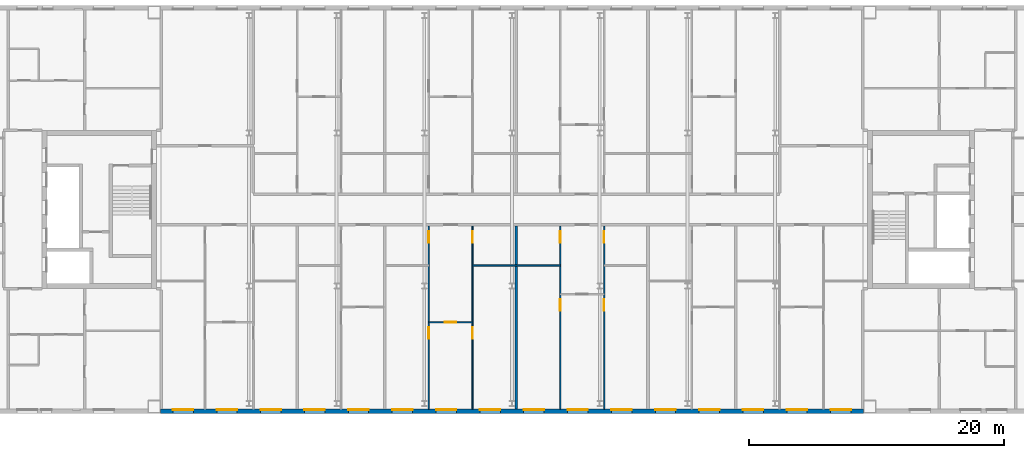
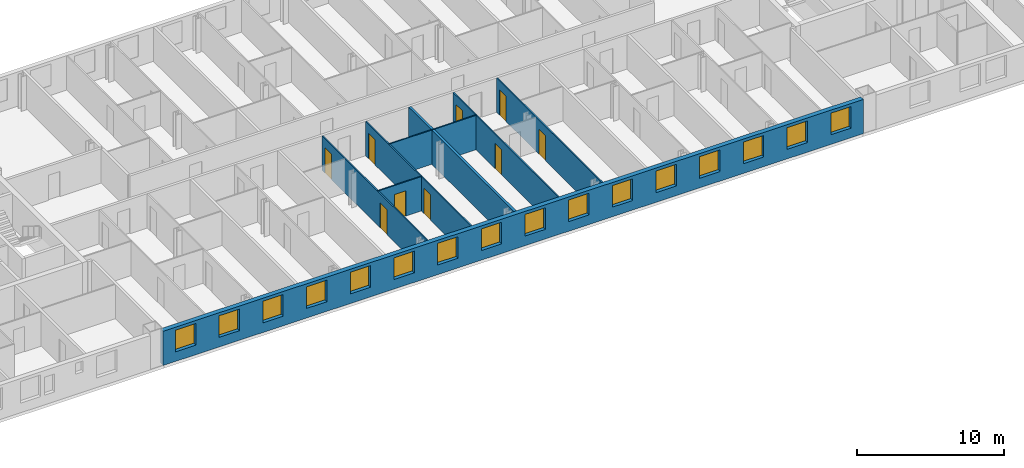
# One storey, part 10 of 19: 16 windows, 9 doors, 8 walls, 25 openings.
"""IFC4 building model written with IfcOpenShell, lengths in metres."""

from ifc_helpers import new_model, si_unit, direction, frame, frame_2d, origin, place, context, subcontext, project, spatial, rectangle, extrude, material, layer, layer_set, type_object, element, fill, save


model = new_model("IFC4")

# Units and contexts
model_context = context("Model", 3, precision=1e-05, world=origin(), true_north=direction((0.0, 1.0)))
body_context = subcontext(model_context, "Body", "Model", "MODEL_VIEW")
ifc_project = project(units=[si_unit("LENGTHUNIT", "METRE"), si_unit("AREAUNIT", "SQUARE_METRE"), si_unit("VOLUMEUNIT", "CUBIC_METRE"), si_unit("PLANEANGLEUNIT", "RADIAN"), si_unit("MASSUNIT", "GRAM", prefix="KILO")], contexts=[model_context])

# Site, building, storey
site_placement = place(None, origin())
site = spatial("IfcSite", under=ifc_project, at=site_placement, CompositionType="ELEMENT")
building_placement = place(site_placement, origin())
building = spatial("IfcBuilding", under=site, at=building_placement, Name="Tuart Gate Housing", CompositionType="ELEMENT")
storey_placement = place(building_placement, frame((0.0, 0.0, 212.10009765625)))
storey = spatial("IfcBuildingStorey", under=building, at=storey_placement, Name="L60", CompositionType="ELEMENT", Elevation=212.10009765625)

# Wall, openings, windows
ifc_material_1 = material(Name="Brick", Category="masonry")
ifc_layer_1 = layer(ifc_material_1, 0.360107421875)
ifc_layer_set_1 = layer_set([ifc_layer_1], Name="Brick pier and spandrel wall 360")
wall_type_1 = type_object("IfcWallType", Name="Brick pier and spandrel wall 360", PredefinedType="STANDARD", material=ifc_layer_set_1)
wall_1_placement = place(storey_placement, frame((75.949951171875, 54.179931640625, 0.0), z_axis=(0.0, 0.0, 1.0), x_axis=(1.0, 0.0, 0.0)))
wall_1 = element("IfcWall", 1, at=wall_1_placement, inside=storey, type_object=wall_type_1, Name="External wall BLK-S L60", PredefinedType="STANDARD", context=body_context, shape_type="SweptSolid", body=[
    extrude(rectangle(XDim=55.10009765625, YDim=0.360107421875, at=frame_2d((27.550048828125, 0.0))), origin(), (0.0, 0.0, 1.0), 2.849853515625),
])
opening_1_placement = place(wall_1_placement, frame((0.96875, 0.0, 0.800048828125)))
opening_1 = element("IfcOpeningElement", 2, at=opening_1_placement, cuts=wall_1, Name="Opening W1", PredefinedType="OPENING", context=body_context, shape_type="SweptSolid", body=[
    extrude(rectangle(XDim=1.60009765625, YDim=1.800048828125, at=frame_2d((0.800048828125, 0.89990234375))), frame((0.0, 0.18994140625, 0.0), z_axis=(0.0, -1.0, 0.0), x_axis=(1.0, 0.0, 0.0)), (0.0, 0.0, 1.0), 0.380126953125),
])
opening_2_placement = place(wall_1_placement, frame((4.40625, 0.0, 0.800048828125)))
opening_2 = element("IfcOpeningElement", 3, at=opening_2_placement, cuts=wall_1, Name="Opening W1", PredefinedType="OPENING", context=body_context, shape_type="SweptSolid", body=[
    extrude(rectangle(XDim=1.60009765625, YDim=1.800048828125, at=frame_2d((0.800048828125, 0.89990234375))), frame((0.0, 0.18994140625, 0.0), z_axis=(0.0, -1.0, 0.0), x_axis=(1.0, 0.0, 0.0)), (0.0, 0.0, 1.0), 0.380126953125),
])
opening_3_placement = place(wall_1_placement, frame((7.84375, 0.0, 0.800048828125)))
opening_3 = element("IfcOpeningElement", 4, at=opening_3_placement, cuts=wall_1, Name="Opening W1", PredefinedType="OPENING", context=body_context, shape_type="SweptSolid", body=[
    extrude(rectangle(XDim=1.60009765625, YDim=1.800048828125, at=frame_2d((0.800048828125, 0.89990234375))), frame((0.0, 0.18994140625, 0.0), z_axis=(0.0, -1.0, 0.0), x_axis=(1.0, 0.0, 0.0)), (0.0, 0.0, 1.0), 0.380126953125),
])
opening_4_placement = place(wall_1_placement, frame((11.28125, 0.0, 0.800048828125)))
opening_4 = element("IfcOpeningElement", 5, at=opening_4_placement, cuts=wall_1, Name="Opening W1", PredefinedType="OPENING", context=body_context, shape_type="SweptSolid", body=[
    extrude(rectangle(XDim=1.60009765625, YDim=1.800048828125, at=frame_2d((0.800048828125, 0.89990234375))), frame((0.0, 0.18994140625, 0.0), z_axis=(0.0, -1.0, 0.0), x_axis=(1.0, 0.0, 0.0)), (0.0, 0.0, 1.0), 0.380126953125),
])
opening_5_placement = place(wall_1_placement, frame((14.71875, 0.0, 0.800048828125)))
opening_5 = element("IfcOpeningElement", 6, at=opening_5_placement, cuts=wall_1, Name="Opening W1", PredefinedType="OPENING", context=body_context, shape_type="SweptSolid", body=[
    extrude(rectangle(XDim=1.60009765625, YDim=1.800048828125, at=frame_2d((0.800048828125, 0.89990234375))), frame((0.0, 0.18994140625, 0.0), z_axis=(0.0, -1.0, 0.0), x_axis=(1.0, 0.0, 0.0)), (0.0, 0.0, 1.0), 0.380126953125),
])
opening_6_placement = place(wall_1_placement, frame((18.15625, 0.0, 0.800048828125)))
opening_6 = element("IfcOpeningElement", 7, at=opening_6_placement, cuts=wall_1, Name="Opening W1", PredefinedType="OPENING", context=body_context, shape_type="SweptSolid", body=[
    extrude(rectangle(XDim=1.60009765625, YDim=1.800048828125, at=frame_2d((0.800048828125, 0.89990234375))), frame((0.0, 0.18994140625, 0.0), z_axis=(0.0, -1.0, 0.0), x_axis=(1.0, 0.0, 0.0)), (0.0, 0.0, 1.0), 0.380126953125),
])
opening_7_placement = place(wall_1_placement, frame((21.59375, 0.0, 0.800048828125)))
opening_7 = element("IfcOpeningElement", 8, at=opening_7_placement, cuts=wall_1, Name="Opening W1", PredefinedType="OPENING", context=body_context, shape_type="SweptSolid", body=[
    extrude(rectangle(XDim=1.60009765625, YDim=1.800048828125, at=frame_2d((0.800048828125, 0.89990234375))), frame((0.0, 0.18994140625, 0.0), z_axis=(0.0, -1.0, 0.0), x_axis=(1.0, 0.0, 0.0)), (0.0, 0.0, 1.0), 0.380126953125),
])
opening_8_placement = place(wall_1_placement, frame((25.03125, 0.0, 0.800048828125)))
opening_8 = element("IfcOpeningElement", 9, at=opening_8_placement, cuts=wall_1, Name="Opening W1", PredefinedType="OPENING", context=body_context, shape_type="SweptSolid", body=[
    extrude(rectangle(XDim=1.60009765625, YDim=1.800048828125, at=frame_2d((0.800048828125, 0.89990234375))), frame((0.0, 0.18994140625, 0.0), z_axis=(0.0, -1.0, 0.0), x_axis=(1.0, 0.0, 0.0)), (0.0, 0.0, 1.0), 0.380126953125),
])
opening_9_placement = place(wall_1_placement, frame((28.46875, 0.0, 0.800048828125)))
opening_9 = element("IfcOpeningElement", 10, at=opening_9_placement, cuts=wall_1, Name="Opening W1", PredefinedType="OPENING", context=body_context, shape_type="SweptSolid", body=[
    extrude(rectangle(XDim=1.60009765625, YDim=1.800048828125, at=frame_2d((0.800048828125, 0.89990234375))), frame((0.0, 0.18994140625, 0.0), z_axis=(0.0, -1.0, 0.0), x_axis=(1.0, 0.0, 0.0)), (0.0, 0.0, 1.0), 0.380126953125),
])
opening_10_placement = place(wall_1_placement, frame((31.90625, 0.0, 0.800048828125)))
opening_10 = element("IfcOpeningElement", 11, at=opening_10_placement, cuts=wall_1, Name="Opening W1", PredefinedType="OPENING", context=body_context, shape_type="SweptSolid", body=[
    extrude(rectangle(XDim=1.60009765625, YDim=1.800048828125, at=frame_2d((0.800048828125, 0.89990234375))), frame((0.0, 0.18994140625, 0.0), z_axis=(0.0, -1.0, 0.0), x_axis=(1.0, 0.0, 0.0)), (0.0, 0.0, 1.0), 0.380126953125),
])
opening_11_placement = place(wall_1_placement, frame((35.34375, 0.0, 0.800048828125)))
opening_11 = element("IfcOpeningElement", 12, at=opening_11_placement, cuts=wall_1, Name="Opening W1", PredefinedType="OPENING", context=body_context, shape_type="SweptSolid", body=[
    extrude(rectangle(XDim=1.60009765625, YDim=1.800048828125, at=frame_2d((0.800048828125, 0.89990234375))), frame((0.0, 0.18994140625, 0.0), z_axis=(0.0, -1.0, 0.0), x_axis=(1.0, 0.0, 0.0)), (0.0, 0.0, 1.0), 0.380126953125),
])
opening_12_placement = place(wall_1_placement, frame((38.78125, 0.0, 0.800048828125)))
opening_12 = element("IfcOpeningElement", 13, at=opening_12_placement, cuts=wall_1, Name="Opening W1", PredefinedType="OPENING", context=body_context, shape_type="SweptSolid", body=[
    extrude(rectangle(XDim=1.60009765625, YDim=1.800048828125, at=frame_2d((0.800048828125, 0.89990234375))), frame((0.0, 0.18994140625, 0.0), z_axis=(0.0, -1.0, 0.0), x_axis=(1.0, 0.0, 0.0)), (0.0, 0.0, 1.0), 0.380126953125),
])
opening_13_placement = place(wall_1_placement, frame((42.21875, 0.0, 0.800048828125)))
opening_13 = element("IfcOpeningElement", 14, at=opening_13_placement, cuts=wall_1, Name="Opening W1", PredefinedType="OPENING", context=body_context, shape_type="SweptSolid", body=[
    extrude(rectangle(XDim=1.60009765625, YDim=1.800048828125, at=frame_2d((0.800048828125, 0.89990234375))), frame((0.0, 0.18994140625, 0.0), z_axis=(0.0, -1.0, 0.0), x_axis=(1.0, 0.0, 0.0)), (0.0, 0.0, 1.0), 0.380126953125),
])
opening_14_placement = place(wall_1_placement, frame((45.65625, 0.0, 0.800048828125)))
opening_14 = element("IfcOpeningElement", 15, at=opening_14_placement, cuts=wall_1, Name="Opening W1", PredefinedType="OPENING", context=body_context, shape_type="SweptSolid", body=[
    extrude(rectangle(XDim=1.60009765625, YDim=1.800048828125, at=frame_2d((0.800048828125, 0.89990234375))), frame((0.0, 0.18994140625, 0.0), z_axis=(0.0, -1.0, 0.0), x_axis=(1.0, 0.0, 0.0)), (0.0, 0.0, 1.0), 0.380126953125),
])
opening_15_placement = place(wall_1_placement, frame((49.09375, 0.0, 0.800048828125)))
opening_15 = element("IfcOpeningElement", 16, at=opening_15_placement, cuts=wall_1, Name="Opening W1", PredefinedType="OPENING", context=body_context, shape_type="SweptSolid", body=[
    extrude(rectangle(XDim=1.60009765625, YDim=1.800048828125, at=frame_2d((0.800048828125, 0.89990234375))), frame((0.0, 0.18994140625, 0.0), z_axis=(0.0, -1.0, 0.0), x_axis=(1.0, 0.0, 0.0)), (0.0, 0.0, 1.0), 0.380126953125),
])
opening_16_placement = place(wall_1_placement, frame((52.53125, 0.0, 0.800048828125)))
opening_16 = element("IfcOpeningElement", 17, at=opening_16_placement, cuts=wall_1, Name="Opening W1", PredefinedType="OPENING", context=body_context, shape_type="SweptSolid", body=[
    extrude(rectangle(XDim=1.60009765625, YDim=1.800048828125, at=frame_2d((0.800048828125, 0.89990234375))), frame((0.0, 0.18994140625, 0.0), z_axis=(0.0, -1.0, 0.0), x_axis=(1.0, 0.0, 0.0)), (0.0, 0.0, 1.0), 0.380126953125),
])
ifc_material_2 = material(Name="Aluminium frame with clear glass", Category="aluminium")
window_type = type_object("IfcWindowType", Name="Punched window 1600 x 1800", PartitioningType="SINGLE_PANEL", PredefinedType="WINDOW", material=ifc_material_2)
window_1_placement = place(opening_1_placement, origin())
window_1 = element("IfcWindow", 18, at=window_1_placement, inside=storey, type_object=window_type, Name="Window W1", OverallHeight=1.800048828125, OverallWidth=1.60009765625, PartitioningType="SINGLE_PANEL", PredefinedType="WINDOW", context=body_context, shape_type="SweptSolid", body=[
    extrude(rectangle(XDim=1.60009765625, YDim=1.800048828125, at=frame_2d((0.800048828125, 0.89990234375))), frame((0.0, 0.150146484375, 0.0), z_axis=(0.0, -1.0, 0.0), x_axis=(1.0, 0.0, 0.0)), (0.0, 0.0, 1.0), 0.06005859375),
])
fill(opening_1, window_1)
window_2_placement = place(opening_2_placement, origin())
window_2 = element("IfcWindow", 19, at=window_2_placement, inside=storey, type_object=window_type, Name="Window W1", OverallHeight=1.800048828125, OverallWidth=1.60009765625, PartitioningType="SINGLE_PANEL", PredefinedType="WINDOW", context=body_context, shape_type="SweptSolid", body=[
    extrude(rectangle(XDim=1.60009765625, YDim=1.800048828125, at=frame_2d((0.800048828125, 0.89990234375))), frame((0.0, 0.150146484375, 0.0), z_axis=(0.0, -1.0, 0.0), x_axis=(1.0, 0.0, 0.0)), (0.0, 0.0, 1.0), 0.06005859375),
])
fill(opening_2, window_2)
window_3_placement = place(opening_3_placement, origin())
window_3 = element("IfcWindow", 20, at=window_3_placement, inside=storey, type_object=window_type, Name="Window W1", OverallHeight=1.800048828125, OverallWidth=1.60009765625, PartitioningType="SINGLE_PANEL", PredefinedType="WINDOW", context=body_context, shape_type="SweptSolid", body=[
    extrude(rectangle(XDim=1.60009765625, YDim=1.800048828125, at=frame_2d((0.800048828125, 0.89990234375))), frame((0.0, 0.150146484375, 0.0), z_axis=(0.0, -1.0, 0.0), x_axis=(1.0, 0.0, 0.0)), (0.0, 0.0, 1.0), 0.06005859375),
])
fill(opening_3, window_3)
window_4_placement = place(opening_4_placement, origin())
window_4 = element("IfcWindow", 21, at=window_4_placement, inside=storey, type_object=window_type, Name="Window W1", OverallHeight=1.800048828125, OverallWidth=1.60009765625, PartitioningType="SINGLE_PANEL", PredefinedType="WINDOW", context=body_context, shape_type="SweptSolid", body=[
    extrude(rectangle(XDim=1.60009765625, YDim=1.800048828125, at=frame_2d((0.800048828125, 0.89990234375))), frame((0.0, 0.150146484375, 0.0), z_axis=(0.0, -1.0, 0.0), x_axis=(1.0, 0.0, 0.0)), (0.0, 0.0, 1.0), 0.06005859375),
])
fill(opening_4, window_4)
window_5_placement = place(opening_5_placement, origin())
window_5 = element("IfcWindow", 22, at=window_5_placement, inside=storey, type_object=window_type, Name="Window W1", OverallHeight=1.800048828125, OverallWidth=1.60009765625, PartitioningType="SINGLE_PANEL", PredefinedType="WINDOW", context=body_context, shape_type="SweptSolid", body=[
    extrude(rectangle(XDim=1.60009765625, YDim=1.800048828125, at=frame_2d((0.800048828125, 0.89990234375))), frame((0.0, 0.150146484375, 0.0), z_axis=(0.0, -1.0, 0.0), x_axis=(1.0, 0.0, 0.0)), (0.0, 0.0, 1.0), 0.06005859375),
])
fill(opening_5, window_5)
window_6_placement = place(opening_6_placement, origin())
window_6 = element("IfcWindow", 23, at=window_6_placement, inside=storey, type_object=window_type, Name="Window W1", OverallHeight=1.800048828125, OverallWidth=1.60009765625, PartitioningType="SINGLE_PANEL", PredefinedType="WINDOW", context=body_context, shape_type="SweptSolid", body=[
    extrude(rectangle(XDim=1.60009765625, YDim=1.800048828125, at=frame_2d((0.800048828125, 0.89990234375))), frame((0.0, 0.150146484375, 0.0), z_axis=(0.0, -1.0, 0.0), x_axis=(1.0, 0.0, 0.0)), (0.0, 0.0, 1.0), 0.06005859375),
])
fill(opening_6, window_6)
window_7_placement = place(opening_7_placement, origin())
window_7 = element("IfcWindow", 24, at=window_7_placement, inside=storey, type_object=window_type, Name="Window W1", OverallHeight=1.800048828125, OverallWidth=1.60009765625, PartitioningType="SINGLE_PANEL", PredefinedType="WINDOW", context=body_context, shape_type="SweptSolid", body=[
    extrude(rectangle(XDim=1.60009765625, YDim=1.800048828125, at=frame_2d((0.800048828125, 0.89990234375))), frame((0.0, 0.150146484375, 0.0), z_axis=(0.0, -1.0, 0.0), x_axis=(1.0, 0.0, 0.0)), (0.0, 0.0, 1.0), 0.06005859375),
])
fill(opening_7, window_7)
window_8_placement = place(opening_8_placement, origin())
window_8 = element("IfcWindow", 25, at=window_8_placement, inside=storey, type_object=window_type, Name="Window W1", OverallHeight=1.800048828125, OverallWidth=1.60009765625, PartitioningType="SINGLE_PANEL", PredefinedType="WINDOW", context=body_context, shape_type="SweptSolid", body=[
    extrude(rectangle(XDim=1.60009765625, YDim=1.800048828125, at=frame_2d((0.800048828125, 0.89990234375))), frame((0.0, 0.150146484375, 0.0), z_axis=(0.0, -1.0, 0.0), x_axis=(1.0, 0.0, 0.0)), (0.0, 0.0, 1.0), 0.06005859375),
])
fill(opening_8, window_8)
window_9_placement = place(opening_9_placement, origin())
window_9 = element("IfcWindow", 26, at=window_9_placement, inside=storey, type_object=window_type, Name="Window W1", OverallHeight=1.800048828125, OverallWidth=1.60009765625, PartitioningType="SINGLE_PANEL", PredefinedType="WINDOW", context=body_context, shape_type="SweptSolid", body=[
    extrude(rectangle(XDim=1.60009765625, YDim=1.800048828125, at=frame_2d((0.800048828125, 0.89990234375))), frame((0.0, 0.150146484375, 0.0), z_axis=(0.0, -1.0, 0.0), x_axis=(1.0, 0.0, 0.0)), (0.0, 0.0, 1.0), 0.06005859375),
])
fill(opening_9, window_9)
window_10_placement = place(opening_10_placement, origin())
window_10 = element("IfcWindow", 27, at=window_10_placement, inside=storey, type_object=window_type, Name="Window W1", OverallHeight=1.800048828125, OverallWidth=1.60009765625, PartitioningType="SINGLE_PANEL", PredefinedType="WINDOW", context=body_context, shape_type="SweptSolid", body=[
    extrude(rectangle(XDim=1.60009765625, YDim=1.800048828125, at=frame_2d((0.800048828125, 0.89990234375))), frame((0.0, 0.150146484375, 0.0), z_axis=(0.0, -1.0, 0.0), x_axis=(1.0, 0.0, 0.0)), (0.0, 0.0, 1.0), 0.06005859375),
])
fill(opening_10, window_10)
window_11_placement = place(opening_11_placement, origin())
window_11 = element("IfcWindow", 28, at=window_11_placement, inside=storey, type_object=window_type, Name="Window W1", OverallHeight=1.800048828125, OverallWidth=1.60009765625, PartitioningType="SINGLE_PANEL", PredefinedType="WINDOW", context=body_context, shape_type="SweptSolid", body=[
    extrude(rectangle(XDim=1.60009765625, YDim=1.800048828125, at=frame_2d((0.800048828125, 0.89990234375))), frame((0.0, 0.150146484375, 0.0), z_axis=(0.0, -1.0, 0.0), x_axis=(1.0, 0.0, 0.0)), (0.0, 0.0, 1.0), 0.06005859375),
])
fill(opening_11, window_11)
window_12_placement = place(opening_12_placement, origin())
window_12 = element("IfcWindow", 29, at=window_12_placement, inside=storey, type_object=window_type, Name="Window W1", OverallHeight=1.800048828125, OverallWidth=1.60009765625, PartitioningType="SINGLE_PANEL", PredefinedType="WINDOW", context=body_context, shape_type="SweptSolid", body=[
    extrude(rectangle(XDim=1.60009765625, YDim=1.800048828125, at=frame_2d((0.800048828125, 0.89990234375))), frame((0.0, 0.150146484375, 0.0), z_axis=(0.0, -1.0, 0.0), x_axis=(1.0, 0.0, 0.0)), (0.0, 0.0, 1.0), 0.06005859375),
])
fill(opening_12, window_12)
window_13_placement = place(opening_13_placement, origin())
window_13 = element("IfcWindow", 30, at=window_13_placement, inside=storey, type_object=window_type, Name="Window W1", OverallHeight=1.800048828125, OverallWidth=1.60009765625, PartitioningType="SINGLE_PANEL", PredefinedType="WINDOW", context=body_context, shape_type="SweptSolid", body=[
    extrude(rectangle(XDim=1.60009765625, YDim=1.800048828125, at=frame_2d((0.800048828125, 0.89990234375))), frame((0.0, 0.150146484375, 0.0), z_axis=(0.0, -1.0, 0.0), x_axis=(1.0, 0.0, 0.0)), (0.0, 0.0, 1.0), 0.06005859375),
])
fill(opening_13, window_13)
window_14_placement = place(opening_14_placement, origin())
window_14 = element("IfcWindow", 31, at=window_14_placement, inside=storey, type_object=window_type, Name="Window W1", OverallHeight=1.800048828125, OverallWidth=1.60009765625, PartitioningType="SINGLE_PANEL", PredefinedType="WINDOW", context=body_context, shape_type="SweptSolid", body=[
    extrude(rectangle(XDim=1.60009765625, YDim=1.800048828125, at=frame_2d((0.800048828125, 0.89990234375))), frame((0.0, 0.150146484375, 0.0), z_axis=(0.0, -1.0, 0.0), x_axis=(1.0, 0.0, 0.0)), (0.0, 0.0, 1.0), 0.06005859375),
])
fill(opening_14, window_14)
window_15_placement = place(opening_15_placement, origin())
window_15 = element("IfcWindow", 32, at=window_15_placement, inside=storey, type_object=window_type, Name="Window W1", OverallHeight=1.800048828125, OverallWidth=1.60009765625, PartitioningType="SINGLE_PANEL", PredefinedType="WINDOW", context=body_context, shape_type="SweptSolid", body=[
    extrude(rectangle(XDim=1.60009765625, YDim=1.800048828125, at=frame_2d((0.800048828125, 0.89990234375))), frame((0.0, 0.150146484375, 0.0), z_axis=(0.0, -1.0, 0.0), x_axis=(1.0, 0.0, 0.0)), (0.0, 0.0, 1.0), 0.06005859375),
])
fill(opening_15, window_15)
window_16_placement = place(opening_16_placement, origin())
window_16 = element("IfcWindow", 33, at=window_16_placement, inside=storey, type_object=window_type, Name="Window W1", OverallHeight=1.800048828125, OverallWidth=1.60009765625, PartitioningType="SINGLE_PANEL", PredefinedType="WINDOW", context=body_context, shape_type="SweptSolid", body=[
    extrude(rectangle(XDim=1.60009765625, YDim=1.800048828125, at=frame_2d((0.800048828125, 0.89990234375))), frame((0.0, 0.150146484375, 0.0), z_axis=(0.0, -1.0, 0.0), x_axis=(1.0, 0.0, 0.0)), (0.0, 0.0, 1.0), 0.06005859375),
])
fill(opening_16, window_16)

# Wall, opening, door
ifc_material_3 = material(Name="Gypsum board on steel studs", Category="steel")
ifc_layer_2 = layer(ifc_material_3, 0.10009765625)
ifc_layer_set_2 = layer_set([ifc_layer_2], Name="Partition 100")
wall_type_2 = type_object("IfcWallType", Name="Partition 100", PredefinedType="PARTITIONING", material=ifc_layer_set_2)
wall_2_placement = place(storey_placement, frame((96.97509765625, 61.159912109375, 0.0), z_axis=(0.0, 0.0, 1.0), x_axis=(1.0, 0.0, 0.0)))
wall_2 = element("IfcWall", 34, at=wall_2_placement, inside=storey, type_object=wall_type_2, Name="Partition 100", PredefinedType="PARTITIONING", context=body_context, shape_type="SweptSolid", body=[
    extrude(rectangle(XDim=3.43701171875, YDim=0.10009765625, at=frame_2d((1.718505859375, 0.0))), origin(), (0.0, 0.0, 1.0), 2.849853515625),
])
opening_17_placement = place(wall_2_placement, frame((1.2685546875, 0.0, 0.0)))
opening_17 = element("IfcOpeningElement", 35, at=opening_17_placement, cuts=wall_2, Name="Opening D2223", PredefinedType="OPENING", context=body_context, shape_type="SweptSolid", body=[
    extrude(rectangle(XDim=0.89990234375, YDim=2.10009765625, at=frame_2d((0.449951171875, 1.050048828125))), frame((0.0, 0.06005859375, 0.0), z_axis=(0.0, -1.0, 0.0), x_axis=(1.0, 0.0, 0.0)), (0.0, 0.0, 1.0), 0.1201171875),
])
ifc_material_4 = material(Name="Timber door leaf in steel frame", Category="steel")
door_type_1 = type_object("IfcDoorType", Name="Internal door 900", OperationType="SINGLE_SWING_LEFT", PredefinedType="DOOR", material=ifc_material_4)
door_1_placement = place(opening_17_placement, origin())
door_1 = element("IfcDoor", 36, at=door_1_placement, inside=storey, type_object=door_type_1, Name="Internal door", OperationType="SINGLE_SWING_LEFT", OverallHeight=2.10009765625, OverallWidth=0.89990234375, PredefinedType="DOOR", context=body_context, shape_type="SweptSolid", body=[
    extrude(rectangle(XDim=0.89990234375, YDim=2.10009765625, at=frame_2d((0.449951171875, 1.050048828125))), frame((0.0, 0.02490234375, 0.0), z_axis=(0.0, -1.0, 0.0), x_axis=(1.0, 0.0, 0.0)), (0.0, 0.0, 1.0), 0.050048828125),
])
fill(opening_17, door_1)

# Wall
wall_3_placement = place(storey_placement, frame((100.412109375, 65.60009765625, 0.0), z_axis=(0.0, 0.0, 1.0), x_axis=(1.0, 0.0, 0.0)))
element("IfcWall", 37, at=wall_3_placement, inside=storey, type_object=wall_type_2, Name="Partition 100", PredefinedType="PARTITIONING", context=body_context, shape_type="SweptSolid", body=[
    extrude(rectangle(XDim=6.875, YDim=0.10009765625, at=frame_2d((3.4375, 0.0))), origin(), (0.0, 0.0, 1.0), 2.849853515625),
])

# Wall, openings, doors
wall_4_placement = place(storey_placement, frame((96.97509765625, 54.360107421875, 0.0), z_axis=(0.0, 0.0, 1.0), x_axis=(0.0, 1.0, 0.0)))
wall_4 = element("IfcWall", 38, at=wall_4_placement, inside=storey, type_object=wall_type_2, Name="Partition 100", PredefinedType="PARTITIONING", context=body_context, shape_type="SweptSolid", body=[
    extrude(rectangle(XDim=14.33984375, YDim=0.10009765625, at=frame_2d((7.169921875, 0.0))), origin(), (0.0, 0.0, 1.0), 2.849853515625),
])
opening_18_placement = place(wall_4_placement, frame((5.5, 0.0, 0.0)))
opening_18 = element("IfcOpeningElement", 39, at=opening_18_placement, cuts=wall_4, Name="Opening D2209", PredefinedType="OPENING", context=body_context, shape_type="SweptSolid", body=[
    extrude(rectangle(XDim=0.89990234375, YDim=2.10009765625, at=frame_2d((0.449951171875, 1.050048828125))), frame((0.0, 0.06005859375, 0.0), z_axis=(0.0, -1.0, 0.0), x_axis=(1.0, 0.0, 0.0)), (0.0, 0.0, 1.0), 0.1201171875),
])
opening_19_placement = place(wall_4_placement, frame((13.0400390625, 0.0, 0.0)))
opening_19 = element("IfcOpeningElement", 40, at=opening_19_placement, cuts=wall_4, Name="Opening D2208", PredefinedType="OPENING", context=body_context, shape_type="SweptSolid", body=[
    extrude(rectangle(XDim=0.89990234375, YDim=2.10009765625, at=frame_2d((0.449951171875, 1.050048828125))), frame((0.0, 0.06005859375, 0.0), z_axis=(0.0, -1.0, 0.0), x_axis=(1.0, 0.0, 0.0)), (0.0, 0.0, 1.0), 0.1201171875),
])
ifc_material_5 = material(Name="Timber door leaf in steel frame", Category="steel")
door_type_2 = type_object("IfcDoorType", Name="Bathroom door 900 RH", OperationType="SINGLE_SWING_RIGHT", PredefinedType="DOOR", material=ifc_material_5)
door_2_placement = place(opening_19_placement, origin())
door_2 = element("IfcDoor", 41, at=door_2_placement, inside=storey, type_object=door_type_2, Name="Bathroom door", OperationType="SINGLE_SWING_RIGHT", OverallHeight=2.10009765625, OverallWidth=0.89990234375, PredefinedType="DOOR", context=body_context, shape_type="SweptSolid", body=[
    extrude(rectangle(XDim=0.89990234375, YDim=2.10009765625, at=frame_2d((0.449951171875, 1.050048828125))), frame((0.0, 0.02490234375, 0.0), z_axis=(0.0, -1.0, 0.0), x_axis=(1.0, 0.0, 0.0)), (0.0, 0.0, 1.0), 0.050048828125),
])
fill(opening_19, door_2)
ifc_material_6 = material(Name="Timber door leaf in steel frame", Category="steel")
door_type_3 = type_object("IfcDoorType", Name="Internal door 900 RH", OperationType="SINGLE_SWING_RIGHT", PredefinedType="DOOR", material=ifc_material_6)
door_3_placement = place(opening_18_placement, origin())
door_3 = element("IfcDoor", 42, at=door_3_placement, inside=storey, type_object=door_type_3, Name="Internal door", OperationType="SINGLE_SWING_RIGHT", OverallHeight=2.10009765625, OverallWidth=0.89990234375, PredefinedType="DOOR", context=body_context, shape_type="SweptSolid", body=[
    extrude(rectangle(XDim=0.89990234375, YDim=2.10009765625, at=frame_2d((0.449951171875, 1.050048828125))), frame((0.0, 0.02490234375, 0.0), z_axis=(0.0, -1.0, 0.0), x_axis=(1.0, 0.0, 0.0)), (0.0, 0.0, 1.0), 0.050048828125),
])
fill(opening_18, door_3)

wall_5_placement = place(storey_placement, frame((100.412109375, 54.360107421875, 0.0), z_axis=(0.0, 0.0, 1.0), x_axis=(0.0, 1.0, 0.0)))
wall_5 = element("IfcWall", 43, at=wall_5_placement, inside=storey, type_object=wall_type_2, Name="Partition 100", PredefinedType="PARTITIONING", context=body_context, shape_type="SweptSolid", body=[
    extrude(rectangle(XDim=14.33984375, YDim=0.10009765625, at=frame_2d((7.169921875, 0.0))), origin(), (0.0, 0.0, 1.0), 2.849853515625),
])
opening_20_placement = place(wall_5_placement, frame((5.5, 0.0, 0.0)))
opening_20 = element("IfcOpeningElement", 44, at=opening_20_placement, cuts=wall_5, Name="Opening D2211", PredefinedType="OPENING", context=body_context, shape_type="SweptSolid", body=[
    extrude(rectangle(XDim=0.89990234375, YDim=2.10009765625, at=frame_2d((0.449951171875, 1.050048828125))), frame((0.0, 0.06005859375, 0.0), z_axis=(0.0, -1.0, 0.0), x_axis=(1.0, 0.0, 0.0)), (0.0, 0.0, 1.0), 0.1201171875),
])
opening_21_placement = place(wall_5_placement, frame((13.0400390625, 0.0, 0.0)))
opening_21 = element("IfcOpeningElement", 45, at=opening_21_placement, cuts=wall_5, Name="Opening D2210", PredefinedType="OPENING", context=body_context, shape_type="SweptSolid", body=[
    extrude(rectangle(XDim=0.89990234375, YDim=2.10009765625, at=frame_2d((0.449951171875, 1.050048828125))), frame((0.0, 0.06005859375, 0.0), z_axis=(0.0, -1.0, 0.0), x_axis=(1.0, 0.0, 0.0)), (0.0, 0.0, 1.0), 0.1201171875),
])
ifc_material_7 = material(Name="Timber door leaf in steel frame", Category="steel")
door_type_4 = type_object("IfcDoorType", Name="Bathroom door 900", OperationType="SINGLE_SWING_LEFT", PredefinedType="DOOR", material=ifc_material_7)
door_4_placement = place(opening_21_placement, frame((0.89990234375, 0.0, 0.0), z_axis=(0.0, 0.0, 1.0), x_axis=(-1.0, 0.0, 0.0)))
door_4 = element("IfcDoor", 46, at=door_4_placement, inside=storey, type_object=door_type_4, Name="Bathroom door", OperationType="SINGLE_SWING_LEFT", OverallHeight=2.10009765625, OverallWidth=0.89990234375, PredefinedType="DOOR", context=body_context, shape_type="SweptSolid", body=[
    extrude(rectangle(XDim=0.89990234375, YDim=2.10009765625, at=frame_2d((0.449951171875, 1.050048828125))), frame((0.0, 0.025146484375, 0.0), z_axis=(0.0, -1.0, 0.0), x_axis=(1.0, 0.0, 0.0)), (0.0, 0.0, 1.0), 0.050048828125),
])
fill(opening_21, door_4)
door_5_placement = place(opening_20_placement, frame((0.89990234375, 0.0, 0.0), z_axis=(0.0, 0.0, 1.0), x_axis=(-1.0, 0.0, 0.0)))
door_5 = element("IfcDoor", 47, at=door_5_placement, inside=storey, type_object=door_type_1, Name="Internal door", OperationType="SINGLE_SWING_LEFT", OverallHeight=2.10009765625, OverallWidth=0.89990234375, PredefinedType="DOOR", context=body_context, shape_type="SweptSolid", body=[
    extrude(rectangle(XDim=0.89990234375, YDim=2.10009765625, at=frame_2d((0.449951171875, 1.050048828125))), frame((0.0, 0.025146484375, 0.0), z_axis=(0.0, -1.0, 0.0), x_axis=(1.0, 0.0, 0.0)), (0.0, 0.0, 1.0), 0.050048828125),
])
fill(opening_20, door_5)

wall_6_placement = place(storey_placement, frame((107.287109375, 54.360107421875, 0.0), z_axis=(0.0, 0.0, 1.0), x_axis=(0.0, 1.0, 0.0)))
wall_6 = element("IfcWall", 48, at=wall_6_placement, inside=storey, type_object=wall_type_2, Name="Partition 100", PredefinedType="PARTITIONING", context=body_context, shape_type="SweptSolid", body=[
    extrude(rectangle(XDim=14.33984375, YDim=0.10009765625, at=frame_2d((7.169921875, 0.0))), origin(), (0.0, 0.0, 1.0), 2.849853515625),
])
opening_22_placement = place(wall_6_placement, frame((7.699951171875, 0.0, 0.0)))
opening_22 = element("IfcOpeningElement", 49, at=opening_22_placement, cuts=wall_6, Name="Opening D2213", PredefinedType="OPENING", context=body_context, shape_type="SweptSolid", body=[
    extrude(rectangle(XDim=0.89990234375, YDim=2.10009765625, at=frame_2d((0.449951171875, 1.050048828125))), frame((0.0, 0.06005859375, 0.0), z_axis=(0.0, -1.0, 0.0), x_axis=(1.0, 0.0, 0.0)), (0.0, 0.0, 1.0), 0.1201171875),
])
opening_23_placement = place(wall_6_placement, frame((13.0400390625, 0.0, 0.0)))
opening_23 = element("IfcOpeningElement", 50, at=opening_23_placement, cuts=wall_6, Name="Opening D2212", PredefinedType="OPENING", context=body_context, shape_type="SweptSolid", body=[
    extrude(rectangle(XDim=0.89990234375, YDim=2.10009765625, at=frame_2d((0.449951171875, 1.050048828125))), frame((0.0, 0.06005859375, 0.0), z_axis=(0.0, -1.0, 0.0), x_axis=(1.0, 0.0, 0.0)), (0.0, 0.0, 1.0), 0.1201171875),
])
door_6_placement = place(opening_23_placement, origin())
door_6 = element("IfcDoor", 51, at=door_6_placement, inside=storey, type_object=door_type_2, Name="Bathroom door", OperationType="SINGLE_SWING_RIGHT", OverallHeight=2.10009765625, OverallWidth=0.89990234375, PredefinedType="DOOR", context=body_context, shape_type="SweptSolid", body=[
    extrude(rectangle(XDim=0.89990234375, YDim=2.10009765625, at=frame_2d((0.449951171875, 1.050048828125))), frame((0.0, 0.02490234375, 0.0), z_axis=(0.0, -1.0, 0.0), x_axis=(1.0, 0.0, 0.0)), (0.0, 0.0, 1.0), 0.050048828125),
])
fill(opening_23, door_6)
door_7_placement = place(opening_22_placement, origin())
door_7 = element("IfcDoor", 52, at=door_7_placement, inside=storey, type_object=door_type_3, Name="Internal door", OperationType="SINGLE_SWING_RIGHT", OverallHeight=2.10009765625, OverallWidth=0.89990234375, PredefinedType="DOOR", context=body_context, shape_type="SweptSolid", body=[
    extrude(rectangle(XDim=0.89990234375, YDim=2.10009765625, at=frame_2d((0.449951171875, 1.050048828125))), frame((0.0, 0.02490234375, 0.0), z_axis=(0.0, -1.0, 0.0), x_axis=(1.0, 0.0, 0.0)), (0.0, 0.0, 1.0), 0.050048828125),
])
fill(opening_22, door_7)

wall_7_placement = place(storey_placement, frame((110.72509765625, 54.360107421875, 0.0), z_axis=(0.0, 0.0, 1.0), x_axis=(0.0, 1.0, 0.0)))
wall_7 = element("IfcWall", 53, at=wall_7_placement, inside=storey, type_object=wall_type_2, Name="Partition 100", PredefinedType="PARTITIONING", context=body_context, shape_type="SweptSolid", body=[
    extrude(rectangle(XDim=14.33984375, YDim=0.10009765625, at=frame_2d((7.169921875, 0.0))), origin(), (0.0, 0.0, 1.0), 2.849853515625),
])
opening_24_placement = place(wall_7_placement, frame((7.699951171875, 0.0, 0.0)))
opening_24 = element("IfcOpeningElement", 54, at=opening_24_placement, cuts=wall_7, Name="Opening D2215", PredefinedType="OPENING", context=body_context, shape_type="SweptSolid", body=[
    extrude(rectangle(XDim=0.89990234375, YDim=2.10009765625, at=frame_2d((0.449951171875, 1.050048828125))), frame((0.0, 0.06005859375, 0.0), z_axis=(0.0, -1.0, 0.0), x_axis=(1.0, 0.0, 0.0)), (0.0, 0.0, 1.0), 0.1201171875),
])
opening_25_placement = place(wall_7_placement, frame((13.0400390625, 0.0, 0.0)))
opening_25 = element("IfcOpeningElement", 55, at=opening_25_placement, cuts=wall_7, Name="Opening D2214", PredefinedType="OPENING", context=body_context, shape_type="SweptSolid", body=[
    extrude(rectangle(XDim=0.89990234375, YDim=2.10009765625, at=frame_2d((0.449951171875, 1.050048828125))), frame((0.0, 0.06005859375, 0.0), z_axis=(0.0, -1.0, 0.0), x_axis=(1.0, 0.0, 0.0)), (0.0, 0.0, 1.0), 0.1201171875),
])
door_8_placement = place(opening_25_placement, frame((0.89990234375, 0.0, 0.0), z_axis=(0.0, 0.0, 1.0), x_axis=(-1.0, 0.0, 0.0)))
door_8 = element("IfcDoor", 56, at=door_8_placement, inside=storey, type_object=door_type_4, Name="Bathroom door", OperationType="SINGLE_SWING_LEFT", OverallHeight=2.10009765625, OverallWidth=0.89990234375, PredefinedType="DOOR", context=body_context, shape_type="SweptSolid", body=[
    extrude(rectangle(XDim=0.89990234375, YDim=2.10009765625, at=frame_2d((0.449951171875, 1.050048828125))), frame((0.0, 0.025146484375, 0.0), z_axis=(0.0, -1.0, 0.0), x_axis=(1.0, 0.0, 0.0)), (0.0, 0.0, 1.0), 0.050048828125),
])
fill(opening_25, door_8)
door_9_placement = place(opening_24_placement, frame((0.89990234375, 0.0, 0.0), z_axis=(0.0, 0.0, 1.0), x_axis=(-1.0, 0.0, 0.0)))
door_9 = element("IfcDoor", 57, at=door_9_placement, inside=storey, type_object=door_type_1, Name="Internal door", OperationType="SINGLE_SWING_LEFT", OverallHeight=2.10009765625, OverallWidth=0.89990234375, PredefinedType="DOOR", context=body_context, shape_type="SweptSolid", body=[
    extrude(rectangle(XDim=0.89990234375, YDim=2.10009765625, at=frame_2d((0.449951171875, 1.050048828125))), frame((0.0, 0.025146484375, 0.0), z_axis=(0.0, -1.0, 0.0), x_axis=(1.0, 0.0, 0.0)), (0.0, 0.0, 1.0), 0.050048828125),
])
fill(opening_24, door_9)

# Wall
ifc_material_8 = material(Name="Concrete masonry 15 MPa", Category="masonry")
ifc_layer_3 = layer(ifc_material_8, 0.199951171875)
ifc_layer_set_3 = layer_set([ifc_layer_3], Name="Party wall masonry 200")
wall_type_3 = type_object("IfcWallType", Name="Party wall masonry 200", PredefinedType="PARTITIONING", material=ifc_layer_set_3)
wall_8_placement = place(storey_placement, frame((103.85009765625, 54.360107421875, 0.0), z_axis=(0.0, 0.0, 1.0), x_axis=(0.0, 1.0, 0.0)))
element("IfcWall", 58, at=wall_8_placement, inside=storey, type_object=wall_type_3, Name="Party wall masonry 200", PredefinedType="PARTITIONING", context=body_context, shape_type="SweptSolid", body=[
    extrude(rectangle(XDim=14.33984375, YDim=0.199951171875, at=frame_2d((7.169921875, 0.0))), origin(), (0.0, 0.0, 1.0), 2.849853515625),
])

save(model, "model.ifc")
